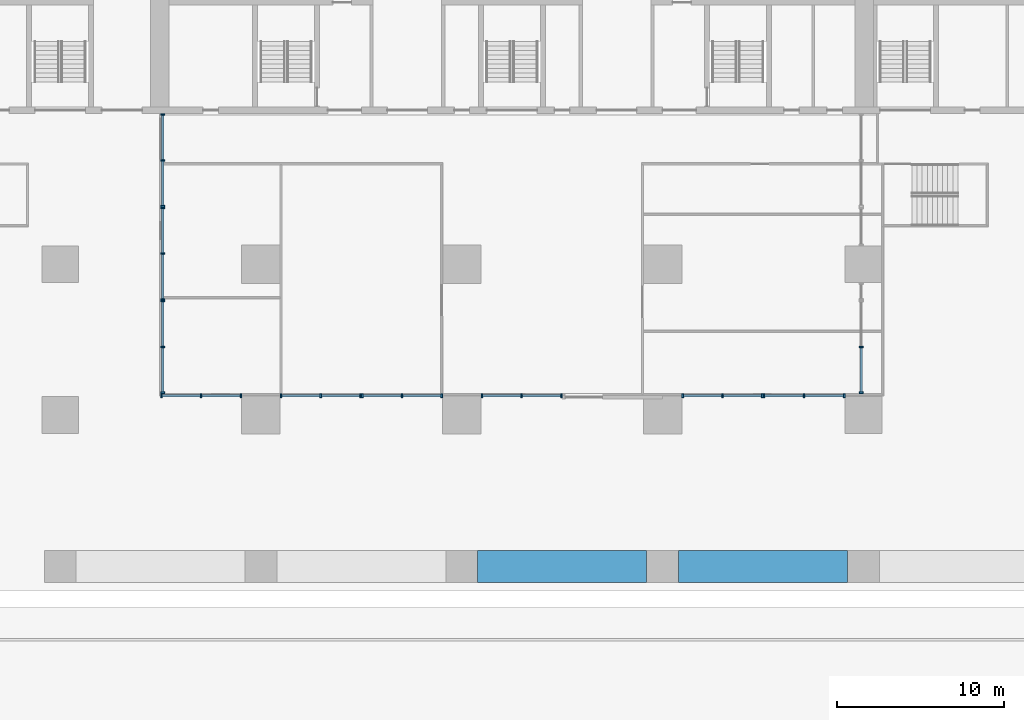
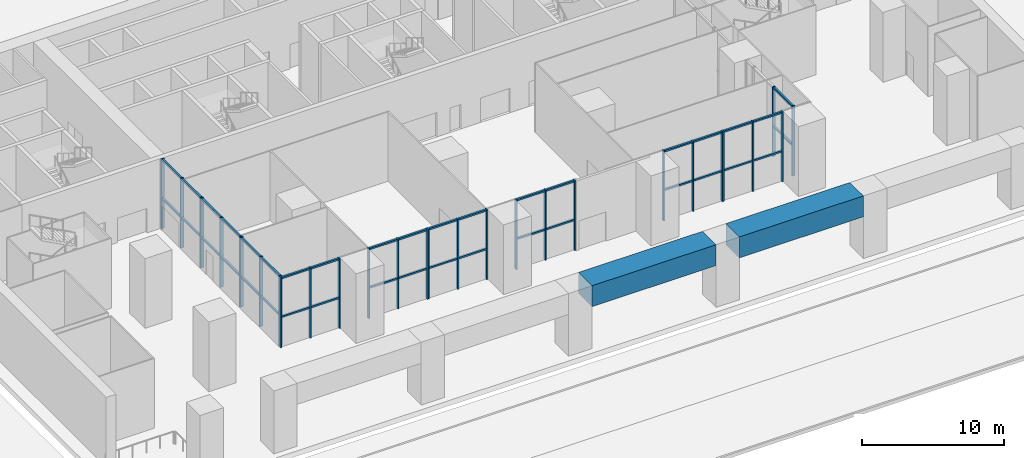
# One storey, part 2 of 16: 67 members, 2 beams, 10 elements without a shape of their own.
"""IFC4 building model written with IfcOpenShell, lengths in metres."""

import ifcopenshell
import ifcopenshell.guid

model = None  # the IFC model being written
_history = None  # IfcOwnerHistory: only IFC2X3 demands one
_inside = {}  # id of a spatial element -> (the spatial element, [elements in it])
_under = {}  # id of a project, library or spatial element -> (it, [spatial elements below it])
_declared = {}  # id of a project -> (the project, [libraries it declares])
_typed = {}  # id of a type object -> (the type object, [elements of that type])
_made_of = {}  # id of a material, layer set ... -> (it, [elements and type objects made of it])


def new_model(schema):
    """Start an empty IFC model of exactly this schema.

    Asked for "IFC4X3", IfcOpenShell would pick the latest addendum, in which some entities
    have other attributes; the version numbers below select the first issue.
    IFC2X3 requires an IfcOwnerHistory on every rooted entity: one is made here for all.
    """
    global model, _history
    if schema == "IFC4X3":
        model = ifcopenshell.file(schema_version=(4, 3, 0, 0))
    else:
        model = ifcopenshell.file(schema=schema)
    _inside.clear()
    _under.clear()
    _declared.clear()
    _typed.clear()
    _made_of.clear()
    _history = None
    if model.schema == "IFC2X3":
        org = make("IfcOrganization", Name="unknown")
        user = make(
            "IfcPersonAndOrganization",
            ThePerson=make("IfcPerson", FamilyName="unknown"),
            TheOrganization=org,
        )
        app = make(
            "IfcApplication",
            ApplicationDeveloper=org,
            Version="unknown",
            ApplicationFullName="unknown",
            ApplicationIdentifier="unknown",
        )
        _history = make(
            "IfcOwnerHistory",
            OwningUser=user,
            OwningApplication=app,
            ChangeAction="ADDED",
            CreationDate=0,
        )
    return model


def make(cls, **values):
    """One entity of the class cls with the attributes given. An attribute that is None is left unset."""
    return model.create_entity(
        cls, **{name: value for name, value in values.items() if value is not None}
    )


def rooted(cls, **values):
    """An entity with a GlobalId (a new one), such as an element, a storey or a relation."""
    return make(cls, GlobalId=ifcopenshell.guid.new(), OwnerHistory=_history, **values)


def si_unit(unit_type, name, prefix=None):
    """IfcSIUnit, for example si_unit("LENGTHUNIT", "METRE", prefix="MILLI")."""
    return make("IfcSIUnit", UnitType=unit_type, Prefix=prefix, Name=name)


def assignment(units):
    """IfcUnitAssignment: the units of a project."""
    return None if units is None else make("IfcUnitAssignment", Units=units)


def point(xyz):
    """IfcCartesianPoint."""
    return None if xyz is None else make("IfcCartesianPoint", Coordinates=xyz)


def direction(xyz):
    """IfcDirection."""
    return None if xyz is None else make("IfcDirection", DirectionRatios=xyz)


def frame(location, z_axis=None, x_axis=None):
    """IfcAxis2Placement3D, a coordinate frame: its origin and axes. An axis left out is left unset."""
    return make(
        "IfcAxis2Placement3D",
        Location=point(location),
        Axis=direction(z_axis),
        RefDirection=direction(x_axis),
    )


def frame_2d(location, x_axis=None):
    """IfcAxis2Placement2D, a coordinate frame in the plane: its origin and x axis."""
    return make(
        "IfcAxis2Placement2D", Location=point(location), RefDirection=direction(x_axis)
    )


def origin():
    """The frame at (0, 0, 0) with its axes left unset."""
    return frame((0.0, 0.0, 0.0))


def origin_2d():
    """The frame at (0, 0) in the plane with its x axis left unset."""
    return frame_2d((0.0, 0.0))


def place(relative_to, where):
    """IfcLocalPlacement: puts the frame where relative to a parent placement (None: the world)."""
    return make(
        "IfcLocalPlacement", PlacementRelTo=relative_to, RelativePlacement=where
    )


def context(
    kind, dimensions, precision=None, world=None, true_north=None, identifier=None
):
    """IfcGeometricRepresentationContext, for example the 3D "Model" context."""
    return make(
        "IfcGeometricRepresentationContext",
        ContextIdentifier=identifier,
        ContextType=kind,
        CoordinateSpaceDimension=dimensions,
        Precision=precision,
        WorldCoordinateSystem=world,
        TrueNorth=true_north,
    )


def subcontext(parent, identifier, kind, view, scale=None):
    """IfcGeometricRepresentationSubContext, for example "Body" below "Model"."""
    return make(
        "IfcGeometricRepresentationSubContext",
        ContextIdentifier=identifier,
        ContextType=kind,
        ParentContext=parent,
        TargetScale=scale,
        TargetView=view,
    )


def project(units=None, contexts=None):
    """IfcProject with its units and contexts."""
    return rooted(
        "IfcProject",
        Name="project",
        RepresentationContexts=contexts,
        UnitsInContext=assignment(units),
    )


def spatial(cls, under=None, at=None, **own):
    """A site, building, storey or space (cls), placed at a placement, below another one or the project."""
    s = rooted(cls, ObjectPlacement=at, **own)
    if under is not None:
        _under.setdefault(under.id(), (under, []))[1].append(s)
    return s


def profile(cls, at=None, kind="AREA", **sizes):
    """A parametric profile (cls). Its sizes go by their IFC names, for example OverallWidth=200.0."""
    return make(cls, ProfileType=kind, Position=at, **sizes)


def rectangle(**sizes):
    """IfcRectangleProfileDef."""
    return profile("IfcRectangleProfileDef", **sizes)


def extrude(swept, where, along, depth):
    """IfcExtrudedAreaSolid: the profile swept, set in the frame where, extruded along a direction by depth."""
    return make(
        "IfcExtrudedAreaSolid",
        SweptArea=swept,
        Position=where,
        ExtrudedDirection=direction(along),
        Depth=depth,
    )


def shape(context_of_items, identifier, shape_type, items):
    """IfcShapeRepresentation: the items that make up one representation, for example the "Body"."""
    return make(
        "IfcShapeRepresentation",
        ContextOfItems=context_of_items,
        RepresentationIdentifier=identifier,
        RepresentationType=shape_type,
        Items=items,
    )


def material(Name=None, Category=None):
    """IfcMaterial."""
    return make("IfcMaterial", Name=Name, Category=Category)


def material_profile(
    of_material, cross_section, Name=None, Category=None, Priority=None
):
    """IfcMaterialProfile: a cross section and its material."""
    return make(
        "IfcMaterialProfile",
        Name=Name,
        Material=of_material,
        Profile=cross_section,
        Priority=Priority,
        Category=Category,
    )


def profile_set(profiles, Name=None, composite=None):
    """IfcMaterialProfileSet."""
    return make(
        "IfcMaterialProfileSet",
        Name=Name,
        MaterialProfiles=profiles,
        CompositeProfile=composite,
    )


def made_of(thing, what):
    """Note that an element or type object is made of a material, layer set ...; save() writes the relation."""
    if what is not None:
        _made_of.setdefault(what.id(), (what, []))[1].append(thing)
    return thing


def type_object(cls, material=None, **own):
    """A type object (cls), such as IfcWallType, which elements share."""
    return made_of(rooted(cls, **own), material)


def element(
    cls,
    number,
    at=None,
    inside=None,
    cuts=None,
    type_object=None,
    material=None,
    context=None,
    identifier="Body",
    shape_type=None,
    held_by="IfcProductDefinitionShape",
    body=None,
    shapes=None,
    **own,
):
    """One element of the class cls, such as IfcWall. Its Tag is "e" and its number.

    at: its placement. inside: the storey or other place that contains it. cuts: it is an
    opening in that element (IfcRelVoidsElement). A single representation is given by context,
    identifier, shape_type and body (its items); several are given by shapes. held_by: the class
    of the entity that holds the representations. save() writes the other relations.
    """
    e = rooted(cls, Tag="e%d" % number, ObjectPlacement=at, **own)
    if body is not None:
        shapes = [shape(context, identifier, shape_type, body)]
    if shapes is not None:
        e.Representation = make(held_by, Representations=shapes)
    if inside is not None:
        _inside.setdefault(inside.id(), (inside, []))[1].append(e)
    if cuts is not None:
        rooted(
            "IfcRelVoidsElement", RelatingBuildingElement=cuts, RelatedOpeningElement=e
        )
    if type_object is not None:
        _typed.setdefault(type_object.id(), (type_object, []))[1].append(e)
    return made_of(e, material)


def aggregate(whole, parts):
    """IfcRelAggregates: a whole, such as a stair, and the parts it consists of."""
    return rooted("IfcRelAggregates", RelatingObject=whole, RelatedObjects=parts)


def save(model, path):
    """Write the relations noted so far, then the file.

    IfcRelAggregates (storeys below a building ...), IfcRelContainedInSpatialStructure (elements
    in a storey), IfcRelDefinesByType, IfcRelAssociatesMaterial and IfcRelDeclares: one each for
    every whole, place, type object, material and project.
    """
    for whole, parts in _under.values():
        aggregate(whole, parts)
    for where, things in _inside.values():
        rooted(
            "IfcRelContainedInSpatialStructure",
            RelatedElements=things,
            RelatingStructure=where,
        )
    for kind, things in _typed.values():
        rooted("IfcRelDefinesByType", RelatedObjects=things, RelatingType=kind)
    for what, things in _made_of.values():
        rooted("IfcRelAssociatesMaterial", RelatedObjects=things, RelatingMaterial=what)
    for by, libraries in _declared.values():
        rooted("IfcRelDeclares", RelatingContext=by, RelatedDefinitions=libraries)
    model.write(path)


model = new_model("IFC4")

# Units and contexts
model_context = context("Model", 3, precision=1e-05, world=origin(), true_north=direction((0.0, 1.0)))
body_context = subcontext(model_context, "Body", "Model", "MODEL_VIEW")
ifc_project = project(units=[si_unit("LENGTHUNIT", "METRE"), si_unit("AREAUNIT", "SQUARE_METRE"), si_unit("VOLUMEUNIT", "CUBIC_METRE"), si_unit("PLANEANGLEUNIT", "RADIAN"), si_unit("MASSUNIT", "GRAM", prefix="KILO")], contexts=[model_context])

# Site, building, storey
site_placement = place(None, origin())
site = spatial("IfcSite", under=ifc_project, at=site_placement, CompositionType="ELEMENT")
building_placement = place(site_placement, origin())
building = spatial("IfcBuilding", under=site, at=building_placement, Name="Calvaro Tower", CompositionType="ELEMENT")
storey_placement = place(building_placement, origin())
storey = spatial("IfcBuildingStorey", under=building, at=storey_placement, Name="L00", CompositionType="ELEMENT", Elevation=0.0)

# Curtain wall, members
ifc_material_1 = material(Name="Anodised aluminium", Category="aluminium")
curtain_wall_type = type_object("IfcCurtainWallType", Name="Lobby pavilion glazing", PredefinedType="NOTDEFINED", material=ifc_material_1)
curtain_wall_1_placement = place(storey_placement, origin())
curtain_wall_1 = element("IfcCurtainWall", 1, at=curtain_wall_1_placement, inside=storey, type_object=curtain_wall_type, Name="CW7 lobby glazing", PredefinedType="NOTDEFINED")
ifc_material_2 = material(Name="Anodised aluminium", Category="aluminium")
ifc_material_profile_1 = material_profile(ifc_material_2, rectangle(XDim=0.25, YDim=0.10009765625, at=origin_2d()), Name="Mullion LP 100 x 250")
ifc_profile_set_1 = profile_set([ifc_material_profile_1], Name="Anodised aluminium")
member_type_1 = type_object("IfcMemberType", Name="Mullion LP 100 x 250", PredefinedType="MULLION", material=ifc_profile_set_1)
member_1_placement = place(storey_placement, frame((18.050048828125, 11.14990234375, 0.0), z_axis=(0.0, 0.0, 1.0), x_axis=(0.0, 1.0, 0.0)))
member_1 = element("IfcMember", 2, at=member_1_placement, type_object=member_type_1, Name="CW7 mullion 1", PredefinedType="MULLION", context=body_context, shape_type="SweptSolid", body=[
    extrude(rectangle(XDim=0.25, YDim=0.10009765625, at=origin_2d()), origin(), (0.0, 0.0, 1.0), 6.0),
])
member_2_placement = place(storey_placement, frame((20.425048828125, 11.14990234375, 0.0), z_axis=(0.0, 0.0, 1.0), x_axis=(0.0, 1.0, 0.0)))
member_2 = element("IfcMember", 3, at=member_2_placement, type_object=member_type_1, Name="CW7 mullion 2", PredefinedType="MULLION", context=body_context, shape_type="SweptSolid", body=[
    extrude(rectangle(XDim=0.25, YDim=0.10009765625, at=origin_2d()), origin(), (0.0, 0.0, 1.0), 6.0),
])
member_3_placement = place(storey_placement, frame((22.800048828125, 11.14990234375, 0.0), z_axis=(0.0, 0.0, 1.0), x_axis=(0.0, 1.0, 0.0)))
member_3 = element("IfcMember", 4, at=member_3_placement, type_object=member_type_1, Name="CW7 mullion 3", PredefinedType="MULLION", context=body_context, shape_type="SweptSolid", body=[
    extrude(rectangle(XDim=0.25, YDim=0.10009765625, at=origin_2d()), origin(), (0.0, 0.0, 1.0), 6.0),
])

curtain_wall_2_placement = place(storey_placement, origin())
curtain_wall_2 = element("IfcCurtainWall", 5, at=curtain_wall_2_placement, inside=storey, type_object=curtain_wall_type, Name="CW7 lobby glazing", PredefinedType="NOTDEFINED")
member_4_placement = place(storey_placement, frame((25.199951171875, 11.14990234375, 0.0), z_axis=(0.0, 0.0, 1.0), x_axis=(0.0, 1.0, 0.0)))
member_4 = element("IfcMember", 6, at=member_4_placement, type_object=member_type_1, Name="CW7 mullion 1", PredefinedType="MULLION", context=body_context, shape_type="SweptSolid", body=[
    extrude(rectangle(XDim=0.25, YDim=0.10009765625, at=origin_2d()), origin(), (0.0, 0.0, 1.0), 6.0),
])
member_5_placement = place(storey_placement, frame((27.574951171875, 11.14990234375, 0.0), z_axis=(0.0, 0.0, 1.0), x_axis=(0.0, 1.0, 0.0)))
member_5 = element("IfcMember", 7, at=member_5_placement, type_object=member_type_1, Name="CW7 mullion 2", PredefinedType="MULLION", context=body_context, shape_type="SweptSolid", body=[
    extrude(rectangle(XDim=0.25, YDim=0.10009765625, at=origin_2d()), origin(), (0.0, 0.0, 1.0), 6.0),
])
member_6_placement = place(storey_placement, frame((29.949951171875, 11.14990234375, 0.0), z_axis=(0.0, 0.0, 1.0), x_axis=(0.0, 1.0, 0.0)))
member_6 = element("IfcMember", 8, at=member_6_placement, type_object=member_type_1, Name="CW7 mullion 3", PredefinedType="MULLION", context=body_context, shape_type="SweptSolid", body=[
    extrude(rectangle(XDim=0.25, YDim=0.10009765625, at=origin_2d()), origin(), (0.0, 0.0, 1.0), 6.0),
])

curtain_wall_3_placement = place(storey_placement, origin())
curtain_wall_3 = element("IfcCurtainWall", 9, at=curtain_wall_3_placement, inside=storey, type_object=curtain_wall_type, Name="CW7 lobby glazing", PredefinedType="NOTDEFINED")
member_7_placement = place(storey_placement, frame((30.050048828125, 11.14990234375, 0.0), z_axis=(0.0, 0.0, 1.0), x_axis=(0.0, 1.0, 0.0)))
member_7 = element("IfcMember", 10, at=member_7_placement, type_object=member_type_1, Name="CW7 mullion 1", PredefinedType="MULLION", context=body_context, shape_type="SweptSolid", body=[
    extrude(rectangle(XDim=0.25, YDim=0.10009765625, at=origin_2d()), origin(), (0.0, 0.0, 1.0), 6.0),
])
member_8_placement = place(storey_placement, frame((32.425048828125, 11.14990234375, 0.0), z_axis=(0.0, 0.0, 1.0), x_axis=(0.0, 1.0, 0.0)))
member_8 = element("IfcMember", 11, at=member_8_placement, type_object=member_type_1, Name="CW7 mullion 2", PredefinedType="MULLION", context=body_context, shape_type="SweptSolid", body=[
    extrude(rectangle(XDim=0.25, YDim=0.10009765625, at=origin_2d()), origin(), (0.0, 0.0, 1.0), 6.0),
])
member_9_placement = place(storey_placement, frame((34.800048828125, 11.14990234375, 0.0), z_axis=(0.0, 0.0, 1.0), x_axis=(0.0, 1.0, 0.0)))
member_9 = element("IfcMember", 12, at=member_9_placement, type_object=member_type_1, Name="CW7 mullion 3", PredefinedType="MULLION", context=body_context, shape_type="SweptSolid", body=[
    extrude(rectangle(XDim=0.25, YDim=0.10009765625, at=origin_2d()), origin(), (0.0, 0.0, 1.0), 6.0),
])

curtain_wall_4_placement = place(storey_placement, origin())
curtain_wall_4 = element("IfcCurtainWall", 13, at=curtain_wall_4_placement, inside=storey, type_object=curtain_wall_type, Name="CW7 lobby glazing", PredefinedType="NOTDEFINED")
member_10_placement = place(storey_placement, frame((37.199951171875, 11.14990234375, 0.0), z_axis=(0.0, 0.0, 1.0), x_axis=(0.0, 1.0, 0.0)))
member_10 = element("IfcMember", 14, at=member_10_placement, type_object=member_type_1, Name="CW7 mullion 1", PredefinedType="MULLION", context=body_context, shape_type="SweptSolid", body=[
    extrude(rectangle(XDim=0.25, YDim=0.10009765625, at=origin_2d()), origin(), (0.0, 0.0, 1.0), 6.0),
])
member_11_placement = place(storey_placement, frame((39.574951171875, 11.14990234375, 0.0), z_axis=(0.0, 0.0, 1.0), x_axis=(0.0, 1.0, 0.0)))
member_11 = element("IfcMember", 15, at=member_11_placement, type_object=member_type_1, Name="CW7 mullion 2", PredefinedType="MULLION", context=body_context, shape_type="SweptSolid", body=[
    extrude(rectangle(XDim=0.25, YDim=0.10009765625, at=origin_2d()), origin(), (0.0, 0.0, 1.0), 6.0),
])
member_12_placement = place(storey_placement, frame((41.949951171875, 11.14990234375, 0.0), z_axis=(0.0, 0.0, 1.0), x_axis=(0.0, 1.0, 0.0)))
member_12 = element("IfcMember", 16, at=member_12_placement, type_object=member_type_1, Name="CW7 mullion 3", PredefinedType="MULLION", context=body_context, shape_type="SweptSolid", body=[
    extrude(rectangle(XDim=0.25, YDim=0.10009765625, at=origin_2d()), origin(), (0.0, 0.0, 1.0), 6.0),
])

curtain_wall_5_placement = place(storey_placement, origin())
curtain_wall_5 = element("IfcCurtainWall", 17, at=curtain_wall_5_placement, inside=storey, type_object=curtain_wall_type, Name="CW7 lobby glazing", PredefinedType="NOTDEFINED")
member_13_placement = place(storey_placement, frame((49.199951171875, 11.14990234375, 0.0), z_axis=(0.0, 0.0, 1.0), x_axis=(0.0, 1.0, 0.0)))
member_13 = element("IfcMember", 18, at=member_13_placement, type_object=member_type_1, Name="CW7 mullion 1", PredefinedType="MULLION", context=body_context, shape_type="SweptSolid", body=[
    extrude(rectangle(XDim=0.25, YDim=0.10009765625, at=origin_2d()), origin(), (0.0, 0.0, 1.0), 6.0),
])
member_14_placement = place(storey_placement, frame((51.574951171875, 11.14990234375, 0.0), z_axis=(0.0, 0.0, 1.0), x_axis=(0.0, 1.0, 0.0)))
member_14 = element("IfcMember", 19, at=member_14_placement, type_object=member_type_1, Name="CW7 mullion 2", PredefinedType="MULLION", context=body_context, shape_type="SweptSolid", body=[
    extrude(rectangle(XDim=0.25, YDim=0.10009765625, at=origin_2d()), origin(), (0.0, 0.0, 1.0), 6.0),
])
member_15_placement = place(storey_placement, frame((53.949951171875, 11.14990234375, 0.0), z_axis=(0.0, 0.0, 1.0), x_axis=(0.0, 1.0, 0.0)))
member_15 = element("IfcMember", 20, at=member_15_placement, type_object=member_type_1, Name="CW7 mullion 3", PredefinedType="MULLION", context=body_context, shape_type="SweptSolid", body=[
    extrude(rectangle(XDim=0.25, YDim=0.10009765625, at=origin_2d()), origin(), (0.0, 0.0, 1.0), 6.0),
])

curtain_wall_6_placement = place(storey_placement, origin())
curtain_wall_6 = element("IfcCurtainWall", 21, at=curtain_wall_6_placement, inside=storey, type_object=curtain_wall_type, Name="CW7 lobby glazing", PredefinedType="NOTDEFINED")
member_16_placement = place(storey_placement, frame((54.050048828125, 11.14990234375, 0.0), z_axis=(0.0, 0.0, 1.0), x_axis=(0.0, 1.0, 0.0)))
member_16 = element("IfcMember", 22, at=member_16_placement, type_object=member_type_1, Name="CW7 mullion 1", PredefinedType="MULLION", context=body_context, shape_type="SweptSolid", body=[
    extrude(rectangle(XDim=0.25, YDim=0.10009765625, at=origin_2d()), origin(), (0.0, 0.0, 1.0), 6.0),
])
member_17_placement = place(storey_placement, frame((56.449951171875, 11.14990234375, 0.0), z_axis=(0.0, 0.0, 1.0), x_axis=(0.0, 1.0, 0.0)))
member_17 = element("IfcMember", 23, at=member_17_placement, type_object=member_type_1, Name="CW7 mullion 2", PredefinedType="MULLION", context=body_context, shape_type="SweptSolid", body=[
    extrude(rectangle(XDim=0.25, YDim=0.10009765625, at=origin_2d()), origin(), (0.0, 0.0, 1.0), 6.0),
])
member_18_placement = place(storey_placement, frame((58.85009765625, 11.14990234375, 0.0), z_axis=(0.0, 0.0, 1.0), x_axis=(0.0, 1.0, 0.0)))
member_18 = element("IfcMember", 24, at=member_18_placement, type_object=member_type_1, Name="CW7 mullion 3", PredefinedType="MULLION", context=body_context, shape_type="SweptSolid", body=[
    extrude(rectangle(XDim=0.25, YDim=0.10009765625, at=origin_2d()), origin(), (0.0, 0.0, 1.0), 6.0),
])

curtain_wall_7_placement = place(storey_placement, origin())
curtain_wall_7 = element("IfcCurtainWall", 25, at=curtain_wall_7_placement, inside=storey, type_object=curtain_wall_type, Name="CW7 lobby glazing", PredefinedType="NOTDEFINED")
member_19_placement = place(storey_placement, frame((18.125, 11.324951171875, 0.0), z_axis=(0.0, 0.0, 1.0), x_axis=(-1.0, 0.0, 0.0)))
member_19 = element("IfcMember", 26, at=member_19_placement, type_object=member_type_1, Name="CW7 mullion 1", PredefinedType="MULLION", context=body_context, shape_type="SweptSolid", body=[
    extrude(rectangle(XDim=0.25, YDim=0.10009765625, at=origin_2d()), origin(), (0.0, 0.0, 1.0), 6.0),
])
member_20_placement = place(storey_placement, frame((18.125, 14.0625, 0.0), z_axis=(0.0, 0.0, 1.0), x_axis=(-1.0, 0.0, 0.0)))
member_20 = element("IfcMember", 27, at=member_20_placement, type_object=member_type_1, Name="CW7 mullion 2", PredefinedType="MULLION", context=body_context, shape_type="SweptSolid", body=[
    extrude(rectangle(XDim=0.25, YDim=0.10009765625, at=origin_2d()), origin(), (0.0, 0.0, 1.0), 6.0),
])
member_21_placement = place(storey_placement, frame((18.125, 16.800048828125, 0.0), z_axis=(0.0, 0.0, 1.0), x_axis=(-1.0, 0.0, 0.0)))
member_21 = element("IfcMember", 28, at=member_21_placement, type_object=member_type_1, Name="CW7 mullion 3", PredefinedType="MULLION", context=body_context, shape_type="SweptSolid", body=[
    extrude(rectangle(XDim=0.25, YDim=0.10009765625, at=origin_2d()), origin(), (0.0, 0.0, 1.0), 6.0),
])

curtain_wall_8_placement = place(storey_placement, origin())
curtain_wall_8 = element("IfcCurtainWall", 29, at=curtain_wall_8_placement, inside=storey, type_object=curtain_wall_type, Name="CW7 lobby glazing", PredefinedType="NOTDEFINED")
member_22_placement = place(storey_placement, frame((18.125, 16.89990234375, 0.0), z_axis=(0.0, 0.0, 1.0), x_axis=(-1.0, 0.0, 0.0)))
member_22 = element("IfcMember", 30, at=member_22_placement, type_object=member_type_1, Name="CW7 mullion 1", PredefinedType="MULLION", context=body_context, shape_type="SweptSolid", body=[
    extrude(rectangle(XDim=0.25, YDim=0.10009765625, at=origin_2d()), origin(), (0.0, 0.0, 1.0), 6.0),
])
member_23_placement = place(storey_placement, frame((18.125, 19.637451171875, 0.0), z_axis=(0.0, 0.0, 1.0), x_axis=(-1.0, 0.0, 0.0)))
member_23 = element("IfcMember", 31, at=member_23_placement, type_object=member_type_1, Name="CW7 mullion 2", PredefinedType="MULLION", context=body_context, shape_type="SweptSolid", body=[
    extrude(rectangle(XDim=0.25, YDim=0.10009765625, at=origin_2d()), origin(), (0.0, 0.0, 1.0), 6.0),
])
member_24_placement = place(storey_placement, frame((18.125, 22.375, 0.0), z_axis=(0.0, 0.0, 1.0), x_axis=(-1.0, 0.0, 0.0)))
member_24 = element("IfcMember", 32, at=member_24_placement, type_object=member_type_1, Name="CW7 mullion 3", PredefinedType="MULLION", context=body_context, shape_type="SweptSolid", body=[
    extrude(rectangle(XDim=0.25, YDim=0.10009765625, at=origin_2d()), origin(), (0.0, 0.0, 1.0), 6.0),
])

curtain_wall_9_placement = place(storey_placement, origin())
curtain_wall_9 = element("IfcCurtainWall", 33, at=curtain_wall_9_placement, inside=storey, type_object=curtain_wall_type, Name="CW7 lobby glazing", PredefinedType="NOTDEFINED")
member_25_placement = place(storey_placement, frame((18.125, 22.47509765625, 0.0), z_axis=(0.0, 0.0, 1.0), x_axis=(-1.0, 0.0, 0.0)))
member_25 = element("IfcMember", 34, at=member_25_placement, type_object=member_type_1, Name="CW7 mullion 1", PredefinedType="MULLION", context=body_context, shape_type="SweptSolid", body=[
    extrude(rectangle(XDim=0.25, YDim=0.10009765625, at=origin_2d()), origin(), (0.0, 0.0, 1.0), 6.0),
])
member_26_placement = place(storey_placement, frame((18.125, 25.21240234375, 0.0), z_axis=(0.0, 0.0, 1.0), x_axis=(-1.0, 0.0, 0.0)))
member_26 = element("IfcMember", 35, at=member_26_placement, type_object=member_type_1, Name="CW7 mullion 2", PredefinedType="MULLION", context=body_context, shape_type="SweptSolid", body=[
    extrude(rectangle(XDim=0.25, YDim=0.10009765625, at=origin_2d()), origin(), (0.0, 0.0, 1.0), 6.0),
])
member_27_placement = place(storey_placement, frame((18.125, 27.949951171875, 0.0), z_axis=(0.0, 0.0, 1.0), x_axis=(-1.0, 0.0, 0.0)))
member_27 = element("IfcMember", 36, at=member_27_placement, type_object=member_type_1, Name="CW7 mullion 3", PredefinedType="MULLION", context=body_context, shape_type="SweptSolid", body=[
    extrude(rectangle(XDim=0.25, YDim=0.10009765625, at=origin_2d()), origin(), (0.0, 0.0, 1.0), 6.0),
])

curtain_wall_10_placement = place(storey_placement, origin())
curtain_wall_10 = element("IfcCurtainWall", 37, at=curtain_wall_10_placement, inside=storey, type_object=curtain_wall_type, Name="CW7 lobby glazing", PredefinedType="NOTDEFINED")
member_28_placement = place(storey_placement, frame((59.875, 11.324951171875, 0.0), z_axis=(0.0, 0.0, 1.0), x_axis=(-1.0, 0.0, 0.0)))
member_28 = element("IfcMember", 38, at=member_28_placement, type_object=member_type_1, Name="CW7 mullion 1", PredefinedType="MULLION", context=body_context, shape_type="SweptSolid", body=[
    extrude(rectangle(XDim=0.25, YDim=0.10009765625, at=origin_2d()), origin(), (0.0, 0.0, 1.0), 6.0),
])
member_29_placement = place(storey_placement, frame((59.875, 14.0625, 0.0), z_axis=(0.0, 0.0, 1.0), x_axis=(-1.0, 0.0, 0.0)))
member_29 = element("IfcMember", 39, at=member_29_placement, type_object=member_type_1, Name="CW7 mullion 2", PredefinedType="MULLION", context=body_context, shape_type="SweptSolid", body=[
    extrude(rectangle(XDim=0.25, YDim=0.10009765625, at=origin_2d()), origin(), (0.0, 0.0, 1.0), 6.0),
])

# Beams
ifc_material_3 = material(Name="Concrete C80/95", Category="concrete")
ifc_material_profile_2 = material_profile(ifc_material_3, rectangle(XDim=1.89990234375, YDim=1.800048828125, at=origin_2d()), Name="RC 1900x1800")
ifc_profile_set_2 = profile_set([ifc_material_profile_2], Name="Concrete C80/95")
beam_type = type_object("IfcBeamType", Name="Transfer girder 1900x1800 C80/95", PredefinedType="BEAM", material=ifc_profile_set_2)
for number, where, z_axis, x_axis, name in (
    (40, (36.949951171875, 0.949951171875, 4.5), (1.0, 0.0, 0.0), (0.0, 1.0, 0.0), "Transfer girder"),
    (41, (48.949951171875, 0.949951171875, 4.5), (1.0, 0.0, 0.0), (0.0, 1.0, 0.0), "Transfer girder"),
):
    element("IfcBeam", number, at=place(storey_placement, frame(where, z_axis=z_axis, x_axis=x_axis)), inside=storey, type_object=beam_type, Name=name, PredefinedType="BEAM", context=body_context, shape_type="SweptSolid", body=[
        extrude(rectangle(XDim=1.89990234375, YDim=1.800048828125, at=origin_2d()), origin(), (0.0, 0.0, 1.0), 10.10009765625),
    ])

# Member
ifc_material_4 = material(Name="Anodised aluminium", Category="aluminium")
ifc_material_profile_3 = material_profile(ifc_material_4, rectangle(XDim=0.159912109375, YDim=0.139892578125, at=origin_2d()), Name="Transom LP 140 x 160")
ifc_profile_set_3 = profile_set([ifc_material_profile_3], Name="Anodised aluminium")
member_type_2 = type_object("IfcMemberType", Name="Transom LP 140 x 160", PredefinedType="USERDEFINED", material=ifc_profile_set_3)
member_30_placement = place(storey_placement, frame((18.10009765625, 11.14990234375, 2.60009765625), z_axis=(1.0, 0.0, 0.0), x_axis=(0.0, 1.0, 0.0)))
member_30 = element("IfcMember", 42, at=member_30_placement, type_object=member_type_2, Name="CW7 transom 1.1", ObjectType="TRANSOM", PredefinedType="USERDEFINED", context=body_context, shape_type="SweptSolid", body=[
    extrude(rectangle(XDim=0.159912109375, YDim=0.139892578125, at=origin_2d()), origin(), (0.0, 0.0, 1.0), 2.27490234375),
])

member_31_placement = place(storey_placement, frame((18.10009765625, 11.14990234375, 5.929931640625), z_axis=(1.0, 0.0, 0.0), x_axis=(0.0, 1.0, 0.0)))
member_31 = element("IfcMember", 43, at=member_31_placement, type_object=member_type_2, Name="CW7 transom 1.2", ObjectType="TRANSOM", PredefinedType="USERDEFINED", context=body_context, shape_type="SweptSolid", body=[
    extrude(rectangle(XDim=0.159912109375, YDim=0.139892578125, at=origin_2d()), origin(), (0.0, 0.0, 1.0), 2.27490234375),
])

member_32_placement = place(storey_placement, frame((20.47509765625, 11.14990234375, 2.60009765625), z_axis=(1.0, 0.0, 0.0), x_axis=(0.0, 1.0, 0.0)))
member_32 = element("IfcMember", 44, at=member_32_placement, type_object=member_type_2, Name="CW7 transom 2.1", ObjectType="TRANSOM", PredefinedType="USERDEFINED", context=body_context, shape_type="SweptSolid", body=[
    extrude(rectangle(XDim=0.159912109375, YDim=0.139892578125, at=origin_2d()), origin(), (0.0, 0.0, 1.0), 2.27490234375),
])

member_33_placement = place(storey_placement, frame((20.47509765625, 11.14990234375, 5.929931640625), z_axis=(1.0, 0.0, 0.0), x_axis=(0.0, 1.0, 0.0)))
member_33 = element("IfcMember", 45, at=member_33_placement, type_object=member_type_2, Name="CW7 transom 2.2", ObjectType="TRANSOM", PredefinedType="USERDEFINED", context=body_context, shape_type="SweptSolid", body=[
    extrude(rectangle(XDim=0.159912109375, YDim=0.139892578125, at=origin_2d()), origin(), (0.0, 0.0, 1.0), 2.27490234375),
])

aggregate(curtain_wall_1, [member_1, member_2, member_3, member_30, member_31, member_32, member_33])

member_34_placement = place(storey_placement, frame((25.25, 11.14990234375, 2.60009765625), z_axis=(1.0, 0.0, 0.0), x_axis=(0.0, 1.0, 0.0)))
member_34 = element("IfcMember", 46, at=member_34_placement, type_object=member_type_2, Name="CW7 transom 1.1", ObjectType="TRANSOM", PredefinedType="USERDEFINED", context=body_context, shape_type="SweptSolid", body=[
    extrude(rectangle(XDim=0.159912109375, YDim=0.139892578125, at=origin_2d()), origin(), (0.0, 0.0, 1.0), 2.27490234375),
])

member_35_placement = place(storey_placement, frame((25.25, 11.14990234375, 5.929931640625), z_axis=(1.0, 0.0, 0.0), x_axis=(0.0, 1.0, 0.0)))
member_35 = element("IfcMember", 47, at=member_35_placement, type_object=member_type_2, Name="CW7 transom 1.2", ObjectType="TRANSOM", PredefinedType="USERDEFINED", context=body_context, shape_type="SweptSolid", body=[
    extrude(rectangle(XDim=0.159912109375, YDim=0.139892578125, at=origin_2d()), origin(), (0.0, 0.0, 1.0), 2.27490234375),
])

member_36_placement = place(storey_placement, frame((27.625, 11.14990234375, 2.60009765625), z_axis=(1.0, 0.0, 0.0), x_axis=(0.0, 1.0, 0.0)))
member_36 = element("IfcMember", 48, at=member_36_placement, type_object=member_type_2, Name="CW7 transom 2.1", ObjectType="TRANSOM", PredefinedType="USERDEFINED", context=body_context, shape_type="SweptSolid", body=[
    extrude(rectangle(XDim=0.159912109375, YDim=0.139892578125, at=origin_2d()), origin(), (0.0, 0.0, 1.0), 2.27490234375),
])

member_37_placement = place(storey_placement, frame((27.625, 11.14990234375, 5.929931640625), z_axis=(1.0, 0.0, 0.0), x_axis=(0.0, 1.0, 0.0)))
member_37 = element("IfcMember", 49, at=member_37_placement, type_object=member_type_2, Name="CW7 transom 2.2", ObjectType="TRANSOM", PredefinedType="USERDEFINED", context=body_context, shape_type="SweptSolid", body=[
    extrude(rectangle(XDim=0.159912109375, YDim=0.139892578125, at=origin_2d()), origin(), (0.0, 0.0, 1.0), 2.27490234375),
])

aggregate(curtain_wall_2, [member_4, member_5, member_6, member_34, member_35, member_36, member_37])

member_38_placement = place(storey_placement, frame((30.10009765625, 11.14990234375, 2.60009765625), z_axis=(1.0, 0.0, 0.0), x_axis=(0.0, 1.0, 0.0)))
member_38 = element("IfcMember", 50, at=member_38_placement, type_object=member_type_2, Name="CW7 transom 1.1", ObjectType="TRANSOM", PredefinedType="USERDEFINED", context=body_context, shape_type="SweptSolid", body=[
    extrude(rectangle(XDim=0.159912109375, YDim=0.139892578125, at=origin_2d()), origin(), (0.0, 0.0, 1.0), 2.27490234375),
])

member_39_placement = place(storey_placement, frame((30.10009765625, 11.14990234375, 5.929931640625), z_axis=(1.0, 0.0, 0.0), x_axis=(0.0, 1.0, 0.0)))
member_39 = element("IfcMember", 51, at=member_39_placement, type_object=member_type_2, Name="CW7 transom 1.2", ObjectType="TRANSOM", PredefinedType="USERDEFINED", context=body_context, shape_type="SweptSolid", body=[
    extrude(rectangle(XDim=0.159912109375, YDim=0.139892578125, at=origin_2d()), origin(), (0.0, 0.0, 1.0), 2.27490234375),
])

member_40_placement = place(storey_placement, frame((32.47509765625, 11.14990234375, 2.60009765625), z_axis=(1.0, 0.0, 0.0), x_axis=(0.0, 1.0, 0.0)))
member_40 = element("IfcMember", 52, at=member_40_placement, type_object=member_type_2, Name="CW7 transom 2.1", ObjectType="TRANSOM", PredefinedType="USERDEFINED", context=body_context, shape_type="SweptSolid", body=[
    extrude(rectangle(XDim=0.159912109375, YDim=0.139892578125, at=origin_2d()), origin(), (0.0, 0.0, 1.0), 2.27490234375),
])

member_41_placement = place(storey_placement, frame((32.47509765625, 11.14990234375, 5.929931640625), z_axis=(1.0, 0.0, 0.0), x_axis=(0.0, 1.0, 0.0)))
member_41 = element("IfcMember", 53, at=member_41_placement, type_object=member_type_2, Name="CW7 transom 2.2", ObjectType="TRANSOM", PredefinedType="USERDEFINED", context=body_context, shape_type="SweptSolid", body=[
    extrude(rectangle(XDim=0.159912109375, YDim=0.139892578125, at=origin_2d()), origin(), (0.0, 0.0, 1.0), 2.27490234375),
])

aggregate(curtain_wall_3, [member_7, member_8, member_9, member_38, member_39, member_40, member_41])

member_42_placement = place(storey_placement, frame((37.25, 11.14990234375, 2.60009765625), z_axis=(1.0, 0.0, 0.0), x_axis=(0.0, 1.0, 0.0)))
member_42 = element("IfcMember", 54, at=member_42_placement, type_object=member_type_2, Name="CW7 transom 1.1", ObjectType="TRANSOM", PredefinedType="USERDEFINED", context=body_context, shape_type="SweptSolid", body=[
    extrude(rectangle(XDim=0.159912109375, YDim=0.139892578125, at=origin_2d()), origin(), (0.0, 0.0, 1.0), 2.27490234375),
])

member_43_placement = place(storey_placement, frame((37.25, 11.14990234375, 5.929931640625), z_axis=(1.0, 0.0, 0.0), x_axis=(0.0, 1.0, 0.0)))
member_43 = element("IfcMember", 55, at=member_43_placement, type_object=member_type_2, Name="CW7 transom 1.2", ObjectType="TRANSOM", PredefinedType="USERDEFINED", context=body_context, shape_type="SweptSolid", body=[
    extrude(rectangle(XDim=0.159912109375, YDim=0.139892578125, at=origin_2d()), origin(), (0.0, 0.0, 1.0), 2.27490234375),
])

member_44_placement = place(storey_placement, frame((39.625, 11.14990234375, 2.60009765625), z_axis=(1.0, 0.0, 0.0), x_axis=(0.0, 1.0, 0.0)))
member_44 = element("IfcMember", 56, at=member_44_placement, type_object=member_type_2, Name="CW7 transom 2.1", ObjectType="TRANSOM", PredefinedType="USERDEFINED", context=body_context, shape_type="SweptSolid", body=[
    extrude(rectangle(XDim=0.159912109375, YDim=0.139892578125, at=origin_2d()), origin(), (0.0, 0.0, 1.0), 2.27490234375),
])

member_45_placement = place(storey_placement, frame((39.625, 11.14990234375, 5.929931640625), z_axis=(1.0, 0.0, 0.0), x_axis=(0.0, 1.0, 0.0)))
member_45 = element("IfcMember", 57, at=member_45_placement, type_object=member_type_2, Name="CW7 transom 2.2", ObjectType="TRANSOM", PredefinedType="USERDEFINED", context=body_context, shape_type="SweptSolid", body=[
    extrude(rectangle(XDim=0.159912109375, YDim=0.139892578125, at=origin_2d()), origin(), (0.0, 0.0, 1.0), 2.27490234375),
])

aggregate(curtain_wall_4, [member_10, member_11, member_12, member_42, member_43, member_44, member_45])

member_46_placement = place(storey_placement, frame((49.25, 11.14990234375, 2.60009765625), z_axis=(1.0, 0.0, 0.0), x_axis=(0.0, 1.0, 0.0)))
member_46 = element("IfcMember", 58, at=member_46_placement, type_object=member_type_2, Name="CW7 transom 1.1", ObjectType="TRANSOM", PredefinedType="USERDEFINED", context=body_context, shape_type="SweptSolid", body=[
    extrude(rectangle(XDim=0.159912109375, YDim=0.139892578125, at=origin_2d()), origin(), (0.0, 0.0, 1.0), 2.27490234375),
])

member_47_placement = place(storey_placement, frame((49.25, 11.14990234375, 5.929931640625), z_axis=(1.0, 0.0, 0.0), x_axis=(0.0, 1.0, 0.0)))
member_47 = element("IfcMember", 59, at=member_47_placement, type_object=member_type_2, Name="CW7 transom 1.2", ObjectType="TRANSOM", PredefinedType="USERDEFINED", context=body_context, shape_type="SweptSolid", body=[
    extrude(rectangle(XDim=0.159912109375, YDim=0.139892578125, at=origin_2d()), origin(), (0.0, 0.0, 1.0), 2.27490234375),
])

member_48_placement = place(storey_placement, frame((51.625, 11.14990234375, 2.60009765625), z_axis=(1.0, 0.0, 0.0), x_axis=(0.0, 1.0, 0.0)))
member_48 = element("IfcMember", 60, at=member_48_placement, type_object=member_type_2, Name="CW7 transom 2.1", ObjectType="TRANSOM", PredefinedType="USERDEFINED", context=body_context, shape_type="SweptSolid", body=[
    extrude(rectangle(XDim=0.159912109375, YDim=0.139892578125, at=origin_2d()), origin(), (0.0, 0.0, 1.0), 2.27490234375),
])

member_49_placement = place(storey_placement, frame((51.625, 11.14990234375, 5.929931640625), z_axis=(1.0, 0.0, 0.0), x_axis=(0.0, 1.0, 0.0)))
member_49 = element("IfcMember", 61, at=member_49_placement, type_object=member_type_2, Name="CW7 transom 2.2", ObjectType="TRANSOM", PredefinedType="USERDEFINED", context=body_context, shape_type="SweptSolid", body=[
    extrude(rectangle(XDim=0.159912109375, YDim=0.139892578125, at=origin_2d()), origin(), (0.0, 0.0, 1.0), 2.27490234375),
])

aggregate(curtain_wall_5, [member_13, member_14, member_15, member_46, member_47, member_48, member_49])

member_50_placement = place(storey_placement, frame((54.10009765625, 11.14990234375, 2.60009765625), z_axis=(1.0, 0.0, 0.0), x_axis=(0.0, 1.0, 0.0)))
member_50 = element("IfcMember", 62, at=member_50_placement, type_object=member_type_2, Name="CW7 transom 1.1", ObjectType="TRANSOM", PredefinedType="USERDEFINED", context=body_context, shape_type="SweptSolid", body=[
    extrude(rectangle(XDim=0.159912109375, YDim=0.139892578125, at=origin_2d()), origin(), (0.0, 0.0, 1.0), 2.2998046875),
])

member_51_placement = place(storey_placement, frame((54.10009765625, 11.14990234375, 5.929931640625), z_axis=(1.0, 0.0, 0.0), x_axis=(0.0, 1.0, 0.0)))
member_51 = element("IfcMember", 63, at=member_51_placement, type_object=member_type_2, Name="CW7 transom 1.2", ObjectType="TRANSOM", PredefinedType="USERDEFINED", context=body_context, shape_type="SweptSolid", body=[
    extrude(rectangle(XDim=0.159912109375, YDim=0.139892578125, at=origin_2d()), origin(), (0.0, 0.0, 1.0), 2.2998046875),
])

member_52_placement = place(storey_placement, frame((56.5, 11.14990234375, 2.60009765625), z_axis=(1.0, 0.0, 0.0), x_axis=(0.0, 1.0, 0.0)))
member_52 = element("IfcMember", 64, at=member_52_placement, type_object=member_type_2, Name="CW7 transom 2.1", ObjectType="TRANSOM", PredefinedType="USERDEFINED", context=body_context, shape_type="SweptSolid", body=[
    extrude(rectangle(XDim=0.159912109375, YDim=0.139892578125, at=origin_2d()), origin(), (0.0, 0.0, 1.0), 2.300048828125),
])

member_53_placement = place(storey_placement, frame((56.5, 11.14990234375, 5.929931640625), z_axis=(1.0, 0.0, 0.0), x_axis=(0.0, 1.0, 0.0)))
member_53 = element("IfcMember", 65, at=member_53_placement, type_object=member_type_2, Name="CW7 transom 2.2", ObjectType="TRANSOM", PredefinedType="USERDEFINED", context=body_context, shape_type="SweptSolid", body=[
    extrude(rectangle(XDim=0.159912109375, YDim=0.139892578125, at=origin_2d()), origin(), (0.0, 0.0, 1.0), 2.300048828125),
])

aggregate(curtain_wall_6, [member_16, member_17, member_18, member_50, member_51, member_52, member_53])

member_54_placement = place(storey_placement, frame((18.125, 11.375, 2.60009765625), z_axis=(0.0, 1.0, 0.0), x_axis=(-1.0, 0.0, 0.0)))
member_54 = element("IfcMember", 66, at=member_54_placement, type_object=member_type_2, Name="CW7 transom 1.1", ObjectType="TRANSOM", PredefinedType="USERDEFINED", context=body_context, shape_type="SweptSolid", body=[
    extrude(rectangle(XDim=0.159912109375, YDim=0.139892578125, at=origin_2d()), origin(), (0.0, 0.0, 1.0), 2.637451171875),
])

member_55_placement = place(storey_placement, frame((18.125, 11.375, 5.929931640625), z_axis=(0.0, 1.0, 0.0), x_axis=(-1.0, 0.0, 0.0)))
member_55 = element("IfcMember", 67, at=member_55_placement, type_object=member_type_2, Name="CW7 transom 1.2", ObjectType="TRANSOM", PredefinedType="USERDEFINED", context=body_context, shape_type="SweptSolid", body=[
    extrude(rectangle(XDim=0.159912109375, YDim=0.139892578125, at=origin_2d()), origin(), (0.0, 0.0, 1.0), 2.637451171875),
])

member_56_placement = place(storey_placement, frame((18.125, 14.112548828125, 2.60009765625), z_axis=(0.0, 1.0, 0.0), x_axis=(-1.0, 0.0, 0.0)))
member_56 = element("IfcMember", 68, at=member_56_placement, type_object=member_type_2, Name="CW7 transom 2.1", ObjectType="TRANSOM", PredefinedType="USERDEFINED", context=body_context, shape_type="SweptSolid", body=[
    extrude(rectangle(XDim=0.159912109375, YDim=0.139892578125, at=origin_2d()), origin(), (0.0, 0.0, 1.0), 2.637451171875),
])

member_57_placement = place(storey_placement, frame((18.125, 14.112548828125, 5.929931640625), z_axis=(0.0, 1.0, 0.0), x_axis=(-1.0, 0.0, 0.0)))
member_57 = element("IfcMember", 69, at=member_57_placement, type_object=member_type_2, Name="CW7 transom 2.2", ObjectType="TRANSOM", PredefinedType="USERDEFINED", context=body_context, shape_type="SweptSolid", body=[
    extrude(rectangle(XDim=0.159912109375, YDim=0.139892578125, at=origin_2d()), origin(), (0.0, 0.0, 1.0), 2.637451171875),
])

aggregate(curtain_wall_7, [member_19, member_20, member_21, member_54, member_55, member_56, member_57])

member_58_placement = place(storey_placement, frame((18.125, 16.949951171875, 2.60009765625), z_axis=(0.0, 1.0, 0.0), x_axis=(-1.0, 0.0, 0.0)))
member_58 = element("IfcMember", 70, at=member_58_placement, type_object=member_type_2, Name="CW7 transom 1.1", ObjectType="TRANSOM", PredefinedType="USERDEFINED", context=body_context, shape_type="SweptSolid", body=[
    extrude(rectangle(XDim=0.159912109375, YDim=0.139892578125, at=origin_2d()), origin(), (0.0, 0.0, 1.0), 2.637451171875),
])

member_59_placement = place(storey_placement, frame((18.125, 16.949951171875, 5.929931640625), z_axis=(0.0, 1.0, 0.0), x_axis=(-1.0, 0.0, 0.0)))
member_59 = element("IfcMember", 71, at=member_59_placement, type_object=member_type_2, Name="CW7 transom 1.2", ObjectType="TRANSOM", PredefinedType="USERDEFINED", context=body_context, shape_type="SweptSolid", body=[
    extrude(rectangle(XDim=0.159912109375, YDim=0.139892578125, at=origin_2d()), origin(), (0.0, 0.0, 1.0), 2.637451171875),
])

member_60_placement = place(storey_placement, frame((18.125, 19.6875, 2.60009765625), z_axis=(0.0, 1.0, 0.0), x_axis=(-1.0, 0.0, 0.0)))
member_60 = element("IfcMember", 72, at=member_60_placement, type_object=member_type_2, Name="CW7 transom 2.1", ObjectType="TRANSOM", PredefinedType="USERDEFINED", context=body_context, shape_type="SweptSolid", body=[
    extrude(rectangle(XDim=0.159912109375, YDim=0.139892578125, at=origin_2d()), origin(), (0.0, 0.0, 1.0), 2.637451171875),
])

member_61_placement = place(storey_placement, frame((18.125, 19.6875, 5.929931640625), z_axis=(0.0, 1.0, 0.0), x_axis=(-1.0, 0.0, 0.0)))
member_61 = element("IfcMember", 73, at=member_61_placement, type_object=member_type_2, Name="CW7 transom 2.2", ObjectType="TRANSOM", PredefinedType="USERDEFINED", context=body_context, shape_type="SweptSolid", body=[
    extrude(rectangle(XDim=0.159912109375, YDim=0.139892578125, at=origin_2d()), origin(), (0.0, 0.0, 1.0), 2.637451171875),
])

aggregate(curtain_wall_8, [member_22, member_23, member_24, member_58, member_59, member_60, member_61])

member_62_placement = place(storey_placement, frame((18.125, 22.52490234375, 2.60009765625), z_axis=(0.0, 1.0, 0.0), x_axis=(-1.0, 0.0, 0.0)))
member_62 = element("IfcMember", 74, at=member_62_placement, type_object=member_type_2, Name="CW7 transom 1.1", ObjectType="TRANSOM", PredefinedType="USERDEFINED", context=body_context, shape_type="SweptSolid", body=[
    extrude(rectangle(XDim=0.159912109375, YDim=0.139892578125, at=origin_2d()), origin(), (0.0, 0.0, 1.0), 2.6376953125),
])

member_63_placement = place(storey_placement, frame((18.125, 22.52490234375, 5.929931640625), z_axis=(0.0, 1.0, 0.0), x_axis=(-1.0, 0.0, 0.0)))
member_63 = element("IfcMember", 75, at=member_63_placement, type_object=member_type_2, Name="CW7 transom 1.2", ObjectType="TRANSOM", PredefinedType="USERDEFINED", context=body_context, shape_type="SweptSolid", body=[
    extrude(rectangle(XDim=0.159912109375, YDim=0.139892578125, at=origin_2d()), origin(), (0.0, 0.0, 1.0), 2.6376953125),
])

member_64_placement = place(storey_placement, frame((18.125, 25.262451171875, 2.60009765625), z_axis=(0.0, 1.0, 0.0), x_axis=(-1.0, 0.0, 0.0)))
member_64 = element("IfcMember", 76, at=member_64_placement, type_object=member_type_2, Name="CW7 transom 2.1", ObjectType="TRANSOM", PredefinedType="USERDEFINED", context=body_context, shape_type="SweptSolid", body=[
    extrude(rectangle(XDim=0.159912109375, YDim=0.139892578125, at=origin_2d()), origin(), (0.0, 0.0, 1.0), 2.637451171875),
])

member_65_placement = place(storey_placement, frame((18.125, 25.262451171875, 5.929931640625), z_axis=(0.0, 1.0, 0.0), x_axis=(-1.0, 0.0, 0.0)))
member_65 = element("IfcMember", 77, at=member_65_placement, type_object=member_type_2, Name="CW7 transom 2.2", ObjectType="TRANSOM", PredefinedType="USERDEFINED", context=body_context, shape_type="SweptSolid", body=[
    extrude(rectangle(XDim=0.159912109375, YDim=0.139892578125, at=origin_2d()), origin(), (0.0, 0.0, 1.0), 2.637451171875),
])

aggregate(curtain_wall_9, [member_25, member_26, member_27, member_62, member_63, member_64, member_65])

member_66_placement = place(storey_placement, frame((59.875, 11.375, 2.60009765625), z_axis=(0.0, 1.0, 0.0), x_axis=(-1.0, 0.0, 0.0)))
member_66 = element("IfcMember", 78, at=member_66_placement, type_object=member_type_2, Name="CW7 transom 1.1", ObjectType="TRANSOM", PredefinedType="USERDEFINED", context=body_context, shape_type="SweptSolid", body=[
    extrude(rectangle(XDim=0.159912109375, YDim=0.139892578125, at=origin_2d()), origin(), (0.0, 0.0, 1.0), 2.637451171875),
])

member_67_placement = place(storey_placement, frame((59.875, 11.375, 5.929931640625), z_axis=(0.0, 1.0, 0.0), x_axis=(-1.0, 0.0, 0.0)))
member_67 = element("IfcMember", 79, at=member_67_placement, type_object=member_type_2, Name="CW7 transom 1.2", ObjectType="TRANSOM", PredefinedType="USERDEFINED", context=body_context, shape_type="SweptSolid", body=[
    extrude(rectangle(XDim=0.159912109375, YDim=0.139892578125, at=origin_2d()), origin(), (0.0, 0.0, 1.0), 2.637451171875),
])

aggregate(curtain_wall_10, [member_28, member_29, member_66, member_67])

save(model, "model.ifc")
